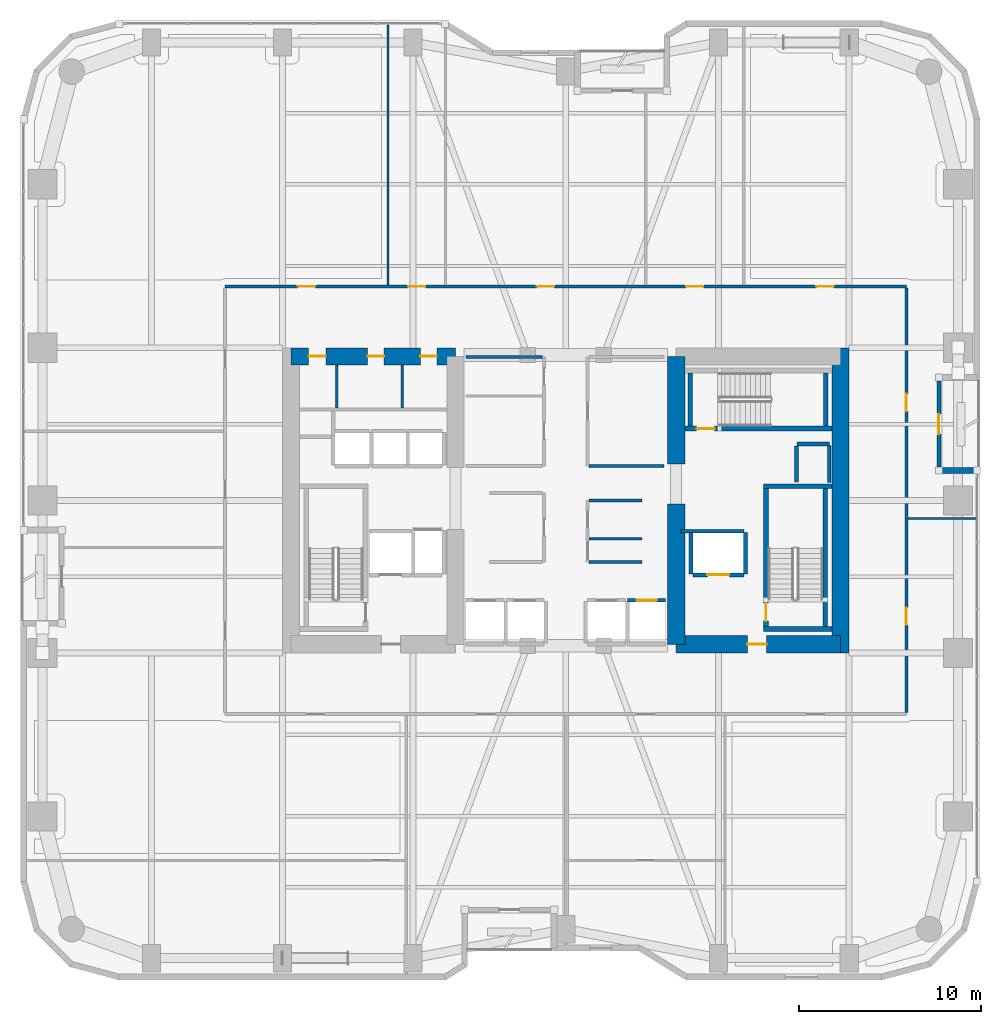
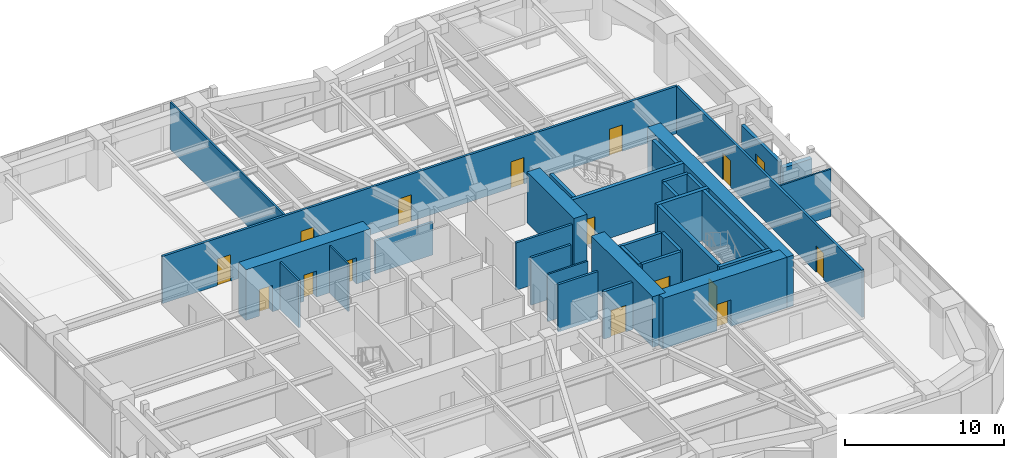
# One storey, part 20 of 24: 33 walls, 16 doors, 16 openings.
"""IFC4 building model written with IfcOpenShell, lengths in metres."""

from ifc_helpers import new_model, si_unit, direction, frame, frame_2d, origin, place, context, subcontext, project, spatial, rectangle, extrude, material, layer, layer_set, type_object, element, fill, save


model = new_model("IFC4")

# Units and contexts
model_context = context("Model", 3, precision=1e-05, world=origin(), true_north=direction((0.0, 1.0)))
body_context = subcontext(model_context, "Body", "Model", "MODEL_VIEW")
ifc_project = project(units=[si_unit("LENGTHUNIT", "METRE"), si_unit("AREAUNIT", "SQUARE_METRE"), si_unit("VOLUMEUNIT", "CUBIC_METRE"), si_unit("PLANEANGLEUNIT", "RADIAN"), si_unit("MASSUNIT", "GRAM", prefix="KILO")], contexts=[model_context])

# Site, building, storey
site_placement = place(None, origin())
site = spatial("IfcSite", under=ifc_project, at=site_placement, CompositionType="ELEMENT")
building_placement = place(site_placement, origin())
building = spatial("IfcBuilding", under=site, at=building_placement, Name="Kiyonajd Concourse Tower", CompositionType="ELEMENT")
storey_placement = place(building_placement, frame((0.0, 0.0, 89.699951171875)))
storey = spatial("IfcBuildingStorey", under=building, at=storey_placement, Name="L23", CompositionType="ELEMENT", Elevation=89.699951171875)

# Wall, openings, doors
ifc_material_1 = material(Name="Concrete C80/95", Category="concrete")
ifc_layer_1 = layer(ifc_material_1, 0.949951171875)
ifc_layer_set_1 = layer_set([ifc_layer_1], Name="Concrete C80/95")
wall_type_1 = type_object("IfcWallType", Name="WL-CORE-950", PredefinedType="SHEAR", material=ifc_layer_set_1)
wall_1_placement = place(storey_placement, frame((32.875, 43.925048828125, 0.0), z_axis=(0.0, 0.0, 1.0), x_axis=(1.0, 0.0, 0.0)))
wall_1 = element("IfcWall", 1, at=wall_1_placement, inside=storey, type_object=wall_type_1, Name="L23 West Core North Shear Wall", PredefinedType="SHEAR", context=body_context, shape_type="SweptSolid", body=[
    extrude(rectangle(XDim=9.050048828125, YDim=0.949951171875, at=frame_2d((4.52490234375, 0.0))), origin(), (0.0, 0.0, 1.0), 3.900146484375),
])
opening_1_placement = place(wall_1_placement, frame((0.97509765625, 0.0, 0.0)))
opening_1 = element("IfcOpeningElement", 2, at=opening_1_placement, cuts=wall_1, Name="Opening DI1", PredefinedType="OPENING", context=body_context, shape_type="SweptSolid", body=[
    extrude(rectangle(XDim=0.949951171875, YDim=2.0400390625, at=frame_2d((0.47509765625, 1.02001953125))), frame((0.0, 0.48486328125, 0.0), z_axis=(0.0, -1.0, 0.0), x_axis=(1.0, 0.0, 0.0)), (0.0, 0.0, 1.0), 0.969970703125),
])
opening_2_placement = place(wall_1_placement, frame((4.22509765625, 0.0, 0.0)))
opening_2 = element("IfcOpeningElement", 3, at=opening_2_placement, cuts=wall_1, Name="Opening DI2", PredefinedType="OPENING", context=body_context, shape_type="SweptSolid", body=[
    extrude(rectangle(XDim=0.89990234375, YDim=2.02001953125, at=frame_2d((0.449951171875, 1.010009765625))), frame((0.0, 0.48486328125, 0.0), z_axis=(0.0, -1.0, 0.0), x_axis=(1.0, 0.0, 0.0)), (0.0, 0.0, 1.0), 0.969970703125),
])
opening_3_placement = place(wall_1_placement, frame((7.125, 0.0, 0.0)))
opening_3 = element("IfcOpeningElement", 4, at=opening_3_placement, cuts=wall_1, Name="Opening DI2", PredefinedType="OPENING", context=body_context, shape_type="SweptSolid", body=[
    extrude(rectangle(XDim=0.89990234375, YDim=2.02001953125, at=frame_2d((0.449951171875, 1.010009765625))), frame((0.0, 0.48486328125, 0.0), z_axis=(0.0, -1.0, 0.0), x_axis=(1.0, 0.0, 0.0)), (0.0, 0.0, 1.0), 0.969970703125),
])
ifc_material_2 = material(Name="Natural Oak Acoustic Timber Veneer", Category="wood")
door_type_1 = type_object("IfcDoorType", Name="DR-INT-900", OperationType="NOTDEFINED", PredefinedType="DOOR", material=ifc_material_2)
door_1_placement = place(opening_2_placement, origin())
door_1 = element("IfcDoor", 5, at=door_1_placement, inside=storey, type_object=door_type_1, Name="L23 Male Restroom Door", OperationType="SINGLE_SWING_RIGHT", OverallHeight=2.02001953125, OverallWidth=0.89990234375, PredefinedType="DOOR", context=body_context, shape_type="SweptSolid", body=[
    extrude(rectangle(XDim=0.89990234375, YDim=2.02001953125, at=frame_2d((0.449951171875, 1.010009765625))), frame((0.0, 0.02490234375, 0.0), z_axis=(0.0, -1.0, 0.0), x_axis=(1.0, 0.0, 0.0)), (0.0, 0.0, 1.0), 0.050048828125),
])
fill(opening_2, door_1)
door_2_placement = place(opening_3_placement, origin())
door_2 = element("IfcDoor", 6, at=door_2_placement, inside=storey, type_object=door_type_1, Name="L23 Female Restroom Door", OperationType="SINGLE_SWING_LEFT", OverallHeight=2.02001953125, OverallWidth=0.89990234375, PredefinedType="DOOR", context=body_context, shape_type="SweptSolid", body=[
    extrude(rectangle(XDim=0.89990234375, YDim=2.02001953125, at=frame_2d((0.449951171875, 1.010009765625))), frame((0.0, 0.02490234375, 0.0), z_axis=(0.0, -1.0, 0.0), x_axis=(1.0, 0.0, 0.0)), (0.0, 0.0, 1.0), 0.050048828125),
])
fill(opening_3, door_2)
door_type_2 = type_object("IfcDoorType", Name="DR-INT-950", OperationType="NOTDEFINED", PredefinedType="DOOR", material=ifc_material_2)
door_3_placement = place(opening_1_placement, origin())
door_3 = element("IfcDoor", 7, at=door_3_placement, inside=storey, type_object=door_type_2, Name="L23 Single User Accessible WC Door", OperationType="SINGLE_SWING_LEFT", OverallHeight=2.0400390625, OverallWidth=0.949951171875, PredefinedType="DOOR", context=body_context, shape_type="SweptSolid", body=[
    extrude(rectangle(XDim=0.949951171875, YDim=2.0400390625, at=frame_2d((0.47509765625, 1.02001953125))), frame((0.0, 0.02490234375, 0.0), z_axis=(0.0, -1.0, 0.0), x_axis=(1.0, 0.0, 0.0)), (0.0, 0.0, 1.0), 0.050048828125),
])
fill(opening_1, door_3)

# Walls
wall_2_placement = place(storey_placement, frame((54.074951171875, 28.074951171875, 0.0), z_axis=(0.0, 0.0, 1.0), x_axis=(0.0, 1.0, 0.0)))
element("IfcWall", 8, at=wall_2_placement, inside=storey, type_object=wall_type_1, Name="L23 East Core Inner South Shear Wall", PredefinedType="SHEAR", context=body_context, shape_type="SweptSolid", body=[
    extrude(rectangle(XDim=7.72509765625, YDim=0.949951171875, at=frame_2d((3.862548828125, 0.0))), origin(), (0.0, 0.0, 1.0), 3.900146484375),
])
wall_3_placement = place(storey_placement, frame((54.074951171875, 38.0, 0.0), z_axis=(0.0, 0.0, 1.0), x_axis=(0.0, 1.0, 0.0)))
element("IfcWall", 9, at=wall_3_placement, inside=storey, type_object=wall_type_1, Name="L23 East Core Inner North Shear Wall", PredefinedType="SHEAR", context=body_context, shape_type="SweptSolid", body=[
    extrude(rectangle(XDim=5.925048828125, YDim=0.949951171875, at=frame_2d((2.96240234375, 0.0))), origin(), (0.0, 0.0, 1.0), 3.900146484375),
])
wall_4_placement = place(storey_placement, frame((63.125, 27.60009765625, 0.0), z_axis=(0.0, 0.0, 1.0), x_axis=(0.0, 1.0, 0.0)))
element("IfcWall", 10, at=wall_4_placement, inside=storey, type_object=wall_type_1, Name="L23 East Core Outer Shear Wall", PredefinedType="SHEAR", context=body_context, shape_type="SweptSolid", body=[
    extrude(rectangle(XDim=16.7998046875, YDim=0.949951171875, at=frame_2d((8.39990234375, 0.0))), origin(), (0.0, 0.0, 1.0), 3.900146484375),
])

# Wall, opening, door
wall_5_placement = place(storey_placement, frame((54.074951171875, 28.074951171875, 0.0), z_axis=(0.0, 0.0, 1.0), x_axis=(1.0, 0.0, 0.0)))
wall_5 = element("IfcWall", 11, at=wall_5_placement, inside=storey, type_object=wall_type_1, Name="L23 East Core South Shear Wall", PredefinedType="SHEAR", context=body_context, shape_type="SweptSolid", body=[
    extrude(rectangle(XDim=9.050048828125, YDim=0.949951171875, at=frame_2d((4.52490234375, 0.0))), origin(), (0.0, 0.0, 1.0), 3.900146484375),
])
opening_4_placement = place(wall_5_placement, frame((3.925048828125, 0.0, 0.0)))
opening_4 = element("IfcOpeningElement", 12, at=opening_4_placement, cuts=wall_5, Name="Opening DF5", PredefinedType="OPENING", context=body_context, shape_type="SweptSolid", body=[
    extrude(rectangle(XDim=1.050048828125, YDim=2.0400390625, at=frame_2d((0.52490234375, 1.02001953125))), frame((0.0, 0.48486328125, 0.0), z_axis=(0.0, -1.0, 0.0), x_axis=(1.0, 0.0, 0.0)), (0.0, 0.0, 1.0), 0.969970703125),
])
ifc_material_3 = material(Name="Brushed Stainless Steel Cab Assembly", Category="steel")
door_type_3 = type_object("IfcDoorType", Name="DR-FD45-1050", OperationType="NOTDEFINED", PredefinedType="DOOR", material=ifc_material_3)
door_4_placement = place(opening_4_placement, origin())
door_4 = element("IfcDoor", 13, at=door_4_placement, inside=storey, type_object=door_type_3, Name="L23 Firefighting Lift Lobby E Smoke Door", OperationType="SINGLE_SWING_RIGHT", OverallHeight=2.0400390625, OverallWidth=1.050048828125, PredefinedType="DOOR", context=body_context, shape_type="SweptSolid", body=[
    extrude(rectangle(XDim=1.050048828125, YDim=2.0400390625, at=frame_2d((0.52490234375, 1.02001953125))), frame((0.0, 0.02490234375, 0.0), z_axis=(0.0, -1.0, 0.0), x_axis=(1.0, 0.0, 0.0)), (0.0, 0.0, 1.0), 0.050048828125),
])
fill(opening_4, door_4)

# Wall
ifc_material_4 = material(Name="Precast concrete C50/60", Category="concrete")
ifc_layer_2 = layer(ifc_material_4, 0.320068359375)
ifc_layer_set_2 = layer_set([ifc_layer_2], Name="Precast concrete C50/60")
wall_type_2 = type_object("IfcWallType", Name="WL-EXT-320", PredefinedType="SOLIDWALL", material=ifc_layer_set_2)
wall_6_placement = place(storey_placement, frame((68.5400390625, 37.639892578125, 0.0), z_axis=(0.0, 0.0, 1.0), x_axis=(1.0, 0.0, 0.0)))
element("IfcWall", 14, at=wall_6_placement, inside=storey, type_object=wall_type_2, Name="L23 Exterior Concrete Frame Wall 23", PredefinedType="SOLIDWALL", context=body_context, shape_type="SweptSolid", body=[
    extrude(rectangle(XDim=2.099853515625, YDim=0.320068359375, at=frame_2d((1.0498046875, 0.0))), origin(), (0.0, 0.0, 1.0), 2.875),
])

# Wall, opening, door
ifc_layer_3 = layer(ifc_material_4, 0.239990234375)
ifc_layer_set_3 = layer_set([ifc_layer_3], Name="Precast concrete C50/60")
wall_type_3 = type_object("IfcWallType", Name="WL-LOG-240", PredefinedType="SOLIDWALL", material=ifc_layer_set_3)
wall_7_placement = place(storey_placement, frame((68.5400390625, 42.56494140625, 0.0), z_axis=(0.0, 0.0, 1.0), x_axis=(0.0, -1.0, 0.0)))
wall_7 = element("IfcWall", 15, at=wall_7_placement, inside=storey, type_object=wall_type_3, Name="L23 Recessed Loggia Thermal Wall LOG-E", PredefinedType="SOLIDWALL", context=body_context, shape_type="SweptSolid", body=[
    extrude(rectangle(XDim=4.72998046875, YDim=0.239990234375, at=frame_2d((2.364990234375, 0.0))), origin(), (0.0, 0.0, 1.0), 3.162109375),
])
opening_5_placement = place(wall_7_placement, frame((1.81494140625, 0.0, 0.0)))
opening_5 = element("IfcOpeningElement", 16, at=opening_5_placement, cuts=wall_7, Name="Opening DL2", PredefinedType="OPENING", context=body_context, shape_type="SweptSolid", body=[
    extrude(rectangle(XDim=1.10009765625, YDim=2.0400390625, at=frame_2d((0.550048828125, 1.02001953125))), frame((0.0, 0.1298828125, 0.0), z_axis=(0.0, -1.0, 0.0), x_axis=(1.0, 0.0, 0.0)), (0.0, 0.0, 1.0), 0.260009765625),
])
ifc_material_5 = material(Name="Thermally Broken Anodised Aluminium", Category="aluminium")
door_type_4 = type_object("IfcDoorType", Name="DR-LOG-1100", OperationType="NOTDEFINED", PredefinedType="DOOR", material=ifc_material_5)
door_5_placement = place(opening_5_placement, origin())
door_5 = element("IfcDoor", 17, at=door_5_placement, inside=storey, type_object=door_type_4, Name="L23 Engawa Loggia Access Door LOG-E", OperationType="SINGLE_SWING_LEFT", OverallHeight=2.0400390625, OverallWidth=1.10009765625, PredefinedType="DOOR", context=body_context, shape_type="SweptSolid", body=[
    extrude(rectangle(XDim=1.10009765625, YDim=2.0400390625, at=frame_2d((0.550048828125, 1.02001953125))), frame((0.0, 0.02490234375, 0.0), z_axis=(0.0, -1.0, 0.0), x_axis=(1.0, 0.0, 0.0)), (0.0, 0.0, 1.0), 0.050048828125),
])
fill(opening_5, door_5)

# Walls
ifc_material_6 = material(Name="Gypsum Board on Cold-Formed Steel Stud", Category="steel")
ifc_layer_4 = layer(ifc_material_6, 0.125)
ifc_layer_set_4 = layer_set([ifc_layer_4], Name="Gypsum Board on Cold-Formed Steel Stud")
wall_type_4 = type_object("IfcWallType", Name="WL-PART-125", PredefinedType="PARTITIONING", material=ifc_layer_set_4)
for number, where, z_axis, x_axis, name in (
    (18, (35.39990234375, 41.094970703125, 0.0), (0.0, 0.0, 1.0), (0.0, 1.0, 0.0), "L23 Interior Partition Wall"),
    (19, (39.0, 41.094970703125, 0.0), (0.0, 0.0, 1.0), (0.0, 1.0, 0.0), "L23 Interior Partition Wall"),
):
    element("IfcWall", number, at=place(storey_placement, frame(where, z_axis=z_axis, x_axis=x_axis)), inside=storey, type_object=wall_type_4, Name=name, PredefinedType="PARTITIONING", context=body_context, shape_type="SweptSolid", body=[
        extrude(rectangle(XDim=2.35498046875, YDim=0.125, at=frame_2d((1.177490234375, 0.0))), origin(), (0.0, 0.0, 1.0), 3.64013671875),
    ])
wall_8_placement = place(storey_placement, frame((49.287109375, 33.89208984375, 0.0), z_axis=(0.0, 0.0, 1.0), x_axis=(1.0, 0.0, 0.0)))
element("IfcWall", 20, at=wall_8_placement, inside=storey, type_object=wall_type_4, Name="L23 Interior Partition Wall", PredefinedType="PARTITIONING", context=body_context, shape_type="SweptSolid", body=[
    extrude(rectangle(XDim=2.912841796875, YDim=0.125, at=frame_2d((1.45654296875, 0.0))), origin(), (0.0, 0.0, 1.0), 3.64013671875),
])
wall_9_placement = place(storey_placement, frame((38.2099609375, 47.85693359375, 0.0), z_axis=(0.0, 0.0, 1.0), x_axis=(0.0, 1.0, 0.0)))
element("IfcWall", 21, at=wall_9_placement, inside=storey, type_object=wall_type_4, Name="L23 Interior Partition Wall", PredefinedType="PARTITIONING", context=body_context, shape_type="SweptSolid", body=[
    extrude(rectangle(XDim=14.298095703125, YDim=0.125, at=frame_2d((7.14892578125, 0.0))), origin(), (0.0, 0.0, 1.0), 3.64013671875),
])
wall_10_placement = place(storey_placement, frame((66.8369140625, 35.0, 0.0), z_axis=(0.0, 0.0, 1.0), x_axis=(1.0, 0.0, 0.0)))
element("IfcWall", 22, at=wall_10_placement, inside=storey, type_object=wall_type_4, Name="L23 Interior Partition Wall", PredefinedType="PARTITIONING", context=body_context, shape_type="SweptSolid", body=[
    extrude(rectangle(XDim=3.718017578125, YDim=0.125, at=frame_2d((1.85888671875, 0.0))), origin(), (0.0, 0.0, 1.0), 3.64013671875),
])
ifc_layer_5 = layer(ifc_material_6, 0.2099609375)
ifc_layer_set_5 = layer_set([ifc_layer_5], Name="Gypsum Board on Cold-Formed Steel Stud")
wall_type_5 = type_object("IfcWallType", Name="WL-SHAFT-210", PredefinedType="PARTITIONING", material=ifc_layer_set_5)
wall_11_placement = place(storey_placement, frame((60.719970703125, 39.10009765625, 0.0), z_axis=(0.0, 0.0, 1.0), x_axis=(1.0, 0.0, 0.0)))
element("IfcWall", 23, at=wall_11_placement, inside=storey, type_object=wall_type_5, Name="L23 Shaft Enclosure Wall", PredefinedType="PARTITIONING", context=body_context, shape_type="SweptSolid", body=[
    extrude(rectangle(XDim=1.800048828125, YDim=0.2099609375, at=frame_2d((0.89990234375, 0.0))), origin(), (0.0, 0.0, 1.0), 3.64013671875),
])
wall_12_placement = place(storey_placement, frame((60.699951171875, 37.02001953125, 0.0), z_axis=(0.0, 0.0, 1.0), x_axis=(0.0, 1.0, 0.0)))
element("IfcWall", 24, at=wall_12_placement, inside=storey, type_object=wall_type_5, Name="L23 Shaft Enclosure Wall", PredefinedType="PARTITIONING", context=body_context, shape_type="SweptSolid", body=[
    extrude(rectangle(XDim=1.9599609375, YDim=0.2099609375, at=frame_2d((0.97998046875, 0.0))), origin(), (0.0, 0.0, 1.0), 3.64013671875),
])
wall_13_placement = place(storey_placement, frame((62.5, 36.97998046875, 0.0), z_axis=(0.0, 0.0, 1.0), x_axis=(0.0, 1.0, 0.0)))
element("IfcWall", 25, at=wall_13_placement, inside=storey, type_object=wall_type_5, Name="L23 Shaft Enclosure Wall", PredefinedType="PARTITIONING", context=body_context, shape_type="SweptSolid", body=[
    extrude(rectangle(XDim=2.0400390625, YDim=0.2099609375, at=frame_2d((1.02001953125, 0.0))), origin(), (0.0, 0.0, 1.0), 3.64013671875),
])

# Wall, opening, door
wall_14_placement = place(storey_placement, frame((55.0, 31.89990234375, 0.0), z_axis=(0.0, 0.0, 1.0), x_axis=(1.0, 0.0, 0.0)))
wall_14 = element("IfcWall", 26, at=wall_14_placement, inside=storey, type_object=wall_type_5, Name="L23 Shaft Enclosure Wall", PredefinedType="PARTITIONING", context=body_context, shape_type="SweptSolid", body=[
    extrude(rectangle(XDim=2.800048828125, YDim=0.2099609375, at=frame_2d((1.39990234375, 0.0))), origin(), (0.0, 0.0, 1.0), 3.64013671875),
])
opening_6_placement = place(wall_14_placement, frame((0.800048828125, 0.0, 0.0)))
opening_6 = element("IfcOpeningElement", 27, at=opening_6_placement, cuts=wall_14, Name="Opening LD2", PredefinedType="OPENING", context=body_context, shape_type="SweptSolid", body=[
    extrude(rectangle(XDim=1.199951171875, YDim=2.0400390625, at=frame_2d((0.60009765625, 1.02001953125))), frame((0.0, 0.114990234375, 0.0), z_axis=(0.0, -1.0, 0.0), x_axis=(1.0, 0.0, 0.0)), (0.0, 0.0, 1.0), 0.22998046875),
])
door_type_5 = type_object("IfcDoorType", Name="DR-LD-1200", OperationType="DOUBLE_DOOR_SLIDING", PredefinedType="DOOR", material=ifc_material_3)
door_6_placement = place(opening_6_placement, origin())
door_6 = element("IfcDoor", 28, at=door_6_placement, inside=storey, type_object=door_type_5, Name="L23 Lift FFL2 Sliding Landing Door", OperationType="DOUBLE_DOOR_SLIDING", OverallHeight=2.0400390625, OverallWidth=1.199951171875, PredefinedType="DOOR", context=body_context, shape_type="SweptSolid", body=[
    extrude(rectangle(XDim=1.199951171875, YDim=2.0400390625, at=frame_2d((0.60009765625, 1.02001953125))), frame((0.0, 0.02490234375, 0.0), z_axis=(0.0, -1.0, 0.0), x_axis=(1.0, 0.0, 0.0)), (0.0, 0.0, 1.0), 0.050048828125),
])
fill(opening_6, door_6)

# Walls
wall_15_placement = place(storey_placement, frame((54.320068359375, 34.300048828125, 0.0), z_axis=(0.0, 0.0, 1.0), x_axis=(1.0, 0.0, 0.0)))
element("IfcWall", 29, at=wall_15_placement, inside=storey, type_object=wall_type_5, Name="L23 Shaft Enclosure Wall", PredefinedType="PARTITIONING", context=body_context, shape_type="SweptSolid", body=[
    extrude(rectangle(XDim=3.47998046875, YDim=0.2099609375, at=frame_2d((1.739990234375, 0.0))), origin(), (0.0, 0.0, 1.0), 3.64013671875),
])
for number, where, z_axis, x_axis, name in (
    (30, (54.89990234375, 31.9599609375, 0.0), (0.0, 0.0, 1.0), (0.0, 1.0, 0.0), "L23 Shaft Enclosure Wall"),
    (31, (57.89990234375, 31.9599609375, 0.0), (0.0, 0.0, 1.0), (0.0, 1.0, 0.0), "L23 Shaft Enclosure Wall"),
):
    element("IfcWall", number, at=place(storey_placement, frame(where, z_axis=z_axis, x_axis=x_axis)), inside=storey, type_object=wall_type_5, Name=name, PredefinedType="PARTITIONING", context=body_context, shape_type="SweptSolid", body=[
        extrude(rectangle(XDim=2.280029296875, YDim=0.2099609375, at=frame_2d((1.14013671875, 0.0))), origin(), (0.0, 0.0, 1.0), 3.64013671875),
    ])

# Wall, opening, door
wall_16_placement = place(storey_placement, frame((51.39990234375, 30.5, 0.0), z_axis=(0.0, 0.0, 1.0), x_axis=(1.0, 0.0, 0.0)))
wall_16 = element("IfcWall", 32, at=wall_16_placement, inside=storey, type_object=wall_type_5, Name="L23 Shaft Enclosure Wall", PredefinedType="PARTITIONING", context=body_context, shape_type="SweptSolid", body=[
    extrude(rectangle(XDim=2.10009765625, YDim=0.2099609375, at=frame_2d((1.050048828125, 0.0))), origin(), (0.0, 0.0, 1.0), 3.64013671875),
])
opening_7_placement = place(wall_16_placement, frame((0.5, 0.0, 0.0)))
opening_7 = element("IfcOpeningElement", 33, at=opening_7_placement, cuts=wall_16, Name="Opening LD1", PredefinedType="OPENING", context=body_context, shape_type="SweptSolid", body=[
    extrude(rectangle(XDim=1.10009765625, YDim=2.0400390625, at=frame_2d((0.550048828125, 1.02001953125))), frame((0.0, 0.114990234375, 0.0), z_axis=(0.0, -1.0, 0.0), x_axis=(1.0, 0.0, 0.0)), (0.0, 0.0, 1.0), 0.22998046875),
])
door_type_6 = type_object("IfcDoorType", Name="DR-LD-1100", OperationType="DOUBLE_DOOR_SLIDING", PredefinedType="DOOR", material=ifc_material_3)
door_7_placement = place(opening_7_placement, origin())
door_7 = element("IfcDoor", 34, at=door_7_placement, inside=storey, type_object=door_type_6, Name="L23 Lift PL-L4 Sliding Landing Door", OperationType="DOUBLE_DOOR_SLIDING", OverallHeight=2.0400390625, OverallWidth=1.10009765625, PredefinedType="DOOR", context=body_context, shape_type="SweptSolid", body=[
    extrude(rectangle(XDim=1.10009765625, YDim=2.0400390625, at=frame_2d((0.550048828125, 1.02001953125))), frame((0.0, 0.02490234375, 0.0), z_axis=(0.0, -1.0, 0.0), x_axis=(1.0, 0.0, 0.0)), (0.0, 0.0, 1.0), 0.050048828125),
])
fill(opening_7, door_7)

# Walls
ifc_layer_6 = layer(ifc_material_6, 0.169921875)
ifc_layer_set_6 = layer_set([ifc_layer_6], Name="Gypsum Board on Cold-Formed Steel Stud")
wall_type_6 = type_object("IfcWallType", Name="WL-SMK-170", PredefinedType="PARTITIONING", material=ifc_layer_set_6)
for number, where, z_axis, x_axis, name in (
    (35, (49.287109375, 32.60009765625, 0.0), (0.0, 0.0, 1.0), (1.0, 0.0, 0.0), "L23 Interior Partition Wall"),
    (36, (49.287109375, 36.0, 0.0), (0.0, 0.0, 1.0), (1.0, 0.0, 0.0), "L23 Interior Partition Wall"),
):
    element("IfcWall", number, at=place(storey_placement, frame(where, z_axis=z_axis, x_axis=x_axis)), inside=storey, type_object=wall_type_6, Name=name, PredefinedType="PARTITIONING", context=body_context, shape_type="SweptSolid", body=[
        extrude(rectangle(XDim=2.912841796875, YDim=0.169921875, at=frame_2d((1.45654296875, 0.0))), origin(), (0.0, 0.0, 1.0), 3.64013671875),
    ])
wall_17_placement = place(storey_placement, frame((42.5, 43.89990234375, 0.0), z_axis=(0.0, 0.0, 1.0), x_axis=(1.0, 0.0, 0.0)))
element("IfcWall", 37, at=wall_17_placement, inside=storey, type_object=wall_type_6, Name="L23 Interior Partition Wall", PredefinedType="PARTITIONING", context=body_context, shape_type="SweptSolid", body=[
    extrude(rectangle(XDim=4.212890625, YDim=0.169921875, at=frame_2d((2.1064453125, 0.0))), origin(), (0.0, 0.0, 1.0), 2.525146484375),
])
wall_18_placement = place(storey_placement, frame((49.287109375, 37.89990234375, 0.0), z_axis=(0.0, 0.0, 1.0), x_axis=(1.0, 0.0, 0.0)))
element("IfcWall", 38, at=wall_18_placement, inside=storey, type_object=wall_type_6, Name="L23 Interior Partition Wall", PredefinedType="PARTITIONING", context=body_context, shape_type="SweptSolid", body=[
    extrude(rectangle(XDim=4.11279296875, YDim=0.169921875, at=frame_2d((2.056396484375, 0.0))), origin(), (0.0, 0.0, 1.0), 3.64013671875),
])

# Wall, openings, doors
wall_19_placement = place(storey_placement, frame((29.25, 47.77001953125, 0.0), z_axis=(0.0, 0.0, 1.0), x_axis=(1.0, 0.0, 0.0)))
wall_19 = element("IfcWall", 39, at=wall_19_placement, inside=storey, type_object=wall_type_6, Name="L23 Interior Partition Wall", PredefinedType="PARTITIONING", context=body_context, shape_type="SweptSolid", body=[
    extrude(rectangle(XDim=37.5, YDim=0.169921875, at=frame_2d((18.75, 0.0))), origin(), (0.0, 0.0, 1.0), 3.64013671875),
])
opening_8_placement = place(wall_19_placement, frame((4.0048828125, 0.0, 0.0)))
opening_8 = element("IfcOpeningElement", 40, at=opening_8_placement, cuts=wall_19, Name="Opening DI1", PredefinedType="OPENING", context=body_context, shape_type="SweptSolid", body=[
    extrude(rectangle(XDim=0.949951171875, YDim=2.0400390625, at=frame_2d((0.47509765625, 1.02001953125))), frame((0.0, 0.094970703125, 0.0), z_axis=(0.0, -1.0, 0.0), x_axis=(1.0, 0.0, 0.0)), (0.0, 0.0, 1.0), 0.18994140625),
])
opening_9_placement = place(wall_19_placement, frame((10.070068359375, 0.0, 0.0)))
opening_9 = element("IfcOpeningElement", 41, at=opening_9_placement, cuts=wall_19, Name="Opening DI1", PredefinedType="OPENING", context=body_context, shape_type="SweptSolid", body=[
    extrude(rectangle(XDim=0.949951171875, YDim=2.0400390625, at=frame_2d((0.47509765625, 1.02001953125))), frame((0.0, 0.094970703125, 0.0), z_axis=(0.0, -1.0, 0.0), x_axis=(1.0, 0.0, 0.0)), (0.0, 0.0, 1.0), 0.18994140625),
])
opening_10_placement = place(wall_19_placement, frame((17.1650390625, 0.0, 0.0)))
opening_10 = element("IfcOpeningElement", 42, at=opening_10_placement, cuts=wall_19, Name="Opening DI1", PredefinedType="OPENING", context=body_context, shape_type="SweptSolid", body=[
    extrude(rectangle(XDim=0.949951171875, YDim=2.0400390625, at=frame_2d((0.47509765625, 1.02001953125))), frame((0.0, 0.094970703125, 0.0), z_axis=(0.0, -1.0, 0.0), x_axis=(1.0, 0.0, 0.0)), (0.0, 0.0, 1.0), 0.18994140625),
])
opening_11_placement = place(wall_19_placement, frame((25.3701171875, 0.0, 0.0)))
opening_11 = element("IfcOpeningElement", 43, at=opening_11_placement, cuts=wall_19, Name="Opening DI1", PredefinedType="OPENING", context=body_context, shape_type="SweptSolid", body=[
    extrude(rectangle(XDim=0.949951171875, YDim=2.0400390625, at=frame_2d((0.47509765625, 1.02001953125))), frame((0.0, 0.094970703125, 0.0), z_axis=(0.0, -1.0, 0.0), x_axis=(1.0, 0.0, 0.0)), (0.0, 0.0, 1.0), 0.18994140625),
])
opening_12_placement = place(wall_19_placement, frame((32.544921875, 0.0, 0.0)))
opening_12 = element("IfcOpeningElement", 44, at=opening_12_placement, cuts=wall_19, Name="Opening DI1", PredefinedType="OPENING", context=body_context, shape_type="SweptSolid", body=[
    extrude(rectangle(XDim=0.949951171875, YDim=2.0400390625, at=frame_2d((0.47509765625, 1.02001953125))), frame((0.0, 0.094970703125, 0.0), z_axis=(0.0, -1.0, 0.0), x_axis=(1.0, 0.0, 0.0)), (0.0, 0.0, 1.0), 0.18994140625),
])
door_8_placement = place(opening_8_placement, origin())
door_8 = element("IfcDoor", 45, at=door_8_placement, inside=storey, type_object=door_type_2, Name="L23 Interior Door", OperationType="SINGLE_SWING_RIGHT", OverallHeight=2.0400390625, OverallWidth=0.949951171875, PredefinedType="DOOR", context=body_context, shape_type="SweptSolid", body=[
    extrude(rectangle(XDim=0.949951171875, YDim=2.0400390625, at=frame_2d((0.47509765625, 1.02001953125))), frame((0.0, 0.02490234375, 0.0), z_axis=(0.0, -1.0, 0.0), x_axis=(1.0, 0.0, 0.0)), (0.0, 0.0, 1.0), 0.050048828125),
])
fill(opening_8, door_8)
door_9_placement = place(opening_9_placement, origin())
door_9 = element("IfcDoor", 46, at=door_9_placement, inside=storey, type_object=door_type_2, Name="L23 Interior Door", OperationType="SINGLE_SWING_LEFT", OverallHeight=2.0400390625, OverallWidth=0.949951171875, PredefinedType="DOOR", context=body_context, shape_type="SweptSolid", body=[
    extrude(rectangle(XDim=0.949951171875, YDim=2.0400390625, at=frame_2d((0.47509765625, 1.02001953125))), frame((0.0, 0.02490234375, 0.0), z_axis=(0.0, -1.0, 0.0), x_axis=(1.0, 0.0, 0.0)), (0.0, 0.0, 1.0), 0.050048828125),
])
fill(opening_9, door_9)
door_10_placement = place(opening_10_placement, origin())
door_10 = element("IfcDoor", 47, at=door_10_placement, inside=storey, type_object=door_type_2, Name="L23 Interior Door", OperationType="SINGLE_SWING_RIGHT", OverallHeight=2.0400390625, OverallWidth=0.949951171875, PredefinedType="DOOR", context=body_context, shape_type="SweptSolid", body=[
    extrude(rectangle(XDim=0.949951171875, YDim=2.0400390625, at=frame_2d((0.47509765625, 1.02001953125))), frame((0.0, 0.02490234375, 0.0), z_axis=(0.0, -1.0, 0.0), x_axis=(1.0, 0.0, 0.0)), (0.0, 0.0, 1.0), 0.050048828125),
])
fill(opening_10, door_10)
door_11_placement = place(opening_11_placement, origin())
door_11 = element("IfcDoor", 48, at=door_11_placement, inside=storey, type_object=door_type_2, Name="L23 Interior Door", OperationType="SINGLE_SWING_LEFT", OverallHeight=2.0400390625, OverallWidth=0.949951171875, PredefinedType="DOOR", context=body_context, shape_type="SweptSolid", body=[
    extrude(rectangle(XDim=0.949951171875, YDim=2.0400390625, at=frame_2d((0.47509765625, 1.02001953125))), frame((0.0, 0.02490234375, 0.0), z_axis=(0.0, -1.0, 0.0), x_axis=(1.0, 0.0, 0.0)), (0.0, 0.0, 1.0), 0.050048828125),
])
fill(opening_11, door_11)
door_12_placement = place(opening_12_placement, origin())
door_12 = element("IfcDoor", 49, at=door_12_placement, inside=storey, type_object=door_type_2, Name="L23 Interior Door", OperationType="SINGLE_SWING_RIGHT", OverallHeight=2.0400390625, OverallWidth=0.949951171875, PredefinedType="DOOR", context=body_context, shape_type="SweptSolid", body=[
    extrude(rectangle(XDim=0.949951171875, YDim=2.0400390625, at=frame_2d((0.47509765625, 1.02001953125))), frame((0.0, 0.02490234375, 0.0), z_axis=(0.0, -1.0, 0.0), x_axis=(1.0, 0.0, 0.0)), (0.0, 0.0, 1.0), 0.050048828125),
])
fill(opening_12, door_12)

wall_20_placement = place(storey_placement, frame((66.75, 24.31689453125, 0.0), z_axis=(0.0, 0.0, 1.0), x_axis=(0.0, 1.0, 0.0)))
wall_20 = element("IfcWall", 50, at=wall_20_placement, inside=storey, type_object=wall_type_6, Name="L23 Interior Partition Wall", PredefinedType="PARTITIONING", context=body_context, shape_type="SweptSolid", body=[
    extrude(rectangle(XDim=23.3662109375, YDim=0.169921875, at=frame_2d((11.68310546875, 0.0))), origin(), (0.0, 0.0, 1.0), 3.64013671875),
])
opening_13_placement = place(wall_20_placement, frame((4.822998046875, 0.0, 0.0)))
opening_13 = element("IfcOpeningElement", 51, at=opening_13_placement, cuts=wall_20, Name="Opening DI1", PredefinedType="OPENING", context=body_context, shape_type="SweptSolid", body=[
    extrude(rectangle(XDim=0.949951171875, YDim=2.0400390625, at=frame_2d((0.47509765625, 1.02001953125))), frame((0.0, 0.094970703125, 0.0), z_axis=(0.0, -1.0, 0.0), x_axis=(1.0, 0.0, 0.0)), (0.0, 0.0, 1.0), 0.18994140625),
])
opening_14_placement = place(wall_20_placement, frame((16.593017578125, 0.0, 0.0)))
opening_14 = element("IfcOpeningElement", 52, at=opening_14_placement, cuts=wall_20, Name="Opening DI1", PredefinedType="OPENING", context=body_context, shape_type="SweptSolid", body=[
    extrude(rectangle(XDim=0.949951171875, YDim=2.0400390625, at=frame_2d((0.47509765625, 1.02001953125))), frame((0.0, 0.094970703125, 0.0), z_axis=(0.0, -1.0, 0.0), x_axis=(1.0, 0.0, 0.0)), (0.0, 0.0, 1.0), 0.18994140625),
])
door_13_placement = place(opening_13_placement, origin())
door_13 = element("IfcDoor", 53, at=door_13_placement, inside=storey, type_object=door_type_2, Name="L23 Interior Door", OperationType="SINGLE_SWING_RIGHT", OverallHeight=2.0400390625, OverallWidth=0.949951171875, PredefinedType="DOOR", context=body_context, shape_type="SweptSolid", body=[
    extrude(rectangle(XDim=0.949951171875, YDim=2.0400390625, at=frame_2d((0.47509765625, 1.02001953125))), frame((0.0, 0.02490234375, 0.0), z_axis=(0.0, -1.0, 0.0), x_axis=(1.0, 0.0, 0.0)), (0.0, 0.0, 1.0), 0.050048828125),
])
fill(opening_13, door_13)
door_14_placement = place(opening_14_placement, origin())
door_14 = element("IfcDoor", 54, at=door_14_placement, inside=storey, type_object=door_type_2, Name="L23 Interior Door", OperationType="SINGLE_SWING_LEFT", OverallHeight=2.0400390625, OverallWidth=0.949951171875, PredefinedType="DOOR", context=body_context, shape_type="SweptSolid", body=[
    extrude(rectangle(XDim=0.949951171875, YDim=2.0400390625, at=frame_2d((0.47509765625, 1.02001953125))), frame((0.0, 0.02490234375, 0.0), z_axis=(0.0, -1.0, 0.0), x_axis=(1.0, 0.0, 0.0)), (0.0, 0.0, 1.0), 0.050048828125),
])
fill(opening_14, door_14)

# Walls
ifc_material_7 = material(Name="Concrete C50/60", Category="concrete")
ifc_layer_7 = layer(ifc_material_7, 0.260009765625)
ifc_layer_set_7 = layer_set([ifc_layer_7], Name="Concrete C50/60")
wall_type_7 = type_object("IfcWallType", Name="WL-STAIR-260", PredefinedType="SHEAR", material=ifc_layer_set_7)
for number, where, z_axis, x_axis, name in (
    (55, (58.889892578125, 28.919921875, 0.0), (0.0, 0.0, 1.0), (1.0, 0.0, 0.0), "L23 Stair ST2 Structural South Wall"),
    (56, (58.889892578125, 36.780029296875, 0.0), (0.0, 0.0, 1.0), (1.0, 0.0, 0.0), "L23 Stair ST2 Structural North Wall"),
):
    element("IfcWall", number, at=place(storey_placement, frame(where, z_axis=z_axis, x_axis=x_axis)), inside=storey, type_object=wall_type_7, Name=name, PredefinedType="SHEAR", context=body_context, shape_type="SweptSolid", body=[
        extrude(rectangle(XDim=3.760009765625, YDim=0.260009765625, at=frame_2d((1.8798828125, 0.0))), origin(), (0.0, 0.0, 1.0), 3.900146484375),
    ])

# Wall, opening, door
wall_21_placement = place(storey_placement, frame((59.02001953125, 29.050048828125, 0.0), z_axis=(0.0, 0.0, 1.0), x_axis=(0.0, 1.0, 0.0)))
wall_21 = element("IfcWall", 57, at=wall_21_placement, inside=storey, type_object=wall_type_7, Name="L23 Stair ST2 Structural West Wall", PredefinedType="SHEAR", context=body_context, shape_type="SweptSolid", body=[
    extrude(rectangle(XDim=7.599853515625, YDim=0.260009765625, at=frame_2d((3.7998046875, 0.0))), origin(), (0.0, 0.0, 1.0), 3.900146484375),
])
opening_15_placement = place(wall_21_placement, frame((0.300048828125, 0.0, 0.0)))
opening_15 = element("IfcOpeningElement", 58, at=opening_15_placement, cuts=wall_21, Name="Opening DF1", PredefinedType="OPENING", context=body_context, shape_type="SweptSolid", body=[
    extrude(rectangle(XDim=1.0, YDim=2.0400390625, at=frame_2d((0.5, 1.02001953125))), frame((0.0, 0.139892578125, 0.0), z_axis=(0.0, -1.0, 0.0), x_axis=(1.0, 0.0, 0.0)), (0.0, 0.0, 1.0), 0.280029296875),
])
door_type_7 = type_object("IfcDoorType", Name="DR-FD90-1000", OperationType="NOTDEFINED", PredefinedType="DOOR", material=ifc_material_3)
door_15_placement = place(opening_15_placement, origin())
door_15 = element("IfcDoor", 59, at=door_15_placement, inside=storey, type_object=door_type_7, Name="L23 Stair ST2 FSAE Door", OperationType="SINGLE_SWING_RIGHT", OverallHeight=2.0400390625, OverallWidth=1.0, PredefinedType="DOOR", context=body_context, shape_type="SweptSolid", body=[
    extrude(rectangle(XDim=1.0, YDim=2.0400390625, at=frame_2d((0.5, 1.02001953125))), frame((0.0, 0.02490234375, 0.0), z_axis=(0.0, -1.0, 0.0), x_axis=(1.0, 0.0, 0.0)), (0.0, 0.0, 1.0), 0.050048828125),
])
fill(opening_15, door_15)

# Wall
wall_22_placement = place(storey_placement, frame((62.280029296875, 29.050048828125, 0.0), z_axis=(0.0, 0.0, 1.0), x_axis=(0.0, 1.0, 0.0)))
element("IfcWall", 60, at=wall_22_placement, inside=storey, type_object=wall_type_7, Name="L23 Stair ST2 Structural East Wall", PredefinedType="SHEAR", context=body_context, shape_type="SweptSolid", body=[
    extrude(rectangle(XDim=7.599853515625, YDim=0.260009765625, at=frame_2d((3.7998046875, 0.0))), origin(), (0.0, 0.0, 1.0), 3.900146484375),
])

# Wall, opening, door
wall_23_placement = place(storey_placement, frame((54.550048828125, 39.949951171875, 0.0), z_axis=(0.0, 0.0, 1.0), x_axis=(1.0, 0.0, 0.0)))
wall_23 = element("IfcWall", 61, at=wall_23_placement, inside=storey, type_object=wall_type_7, Name="L23 Stair ST3 Structural South Wall", PredefinedType="SHEAR", context=body_context, shape_type="SweptSolid", body=[
    extrude(rectangle(XDim=8.099853515625, YDim=0.260009765625, at=frame_2d((4.0498046875, 0.0))), origin(), (0.0, 0.0, 1.0), 3.900146484375),
])
opening_16_placement = place(wall_23_placement, frame((0.64990234375, 0.0, 0.0)))
opening_16 = element("IfcOpeningElement", 62, at=opening_16_placement, cuts=wall_23, Name="Opening DF1", PredefinedType="OPENING", context=body_context, shape_type="SweptSolid", body=[
    extrude(rectangle(XDim=1.0, YDim=2.0400390625, at=frame_2d((0.5, 1.02001953125))), frame((0.0, 0.139892578125, 0.0), z_axis=(0.0, -1.0, 0.0), x_axis=(1.0, 0.0, 0.0)), (0.0, 0.0, 1.0), 0.280029296875),
])
door_16_placement = place(opening_16_placement, origin())
door_16 = element("IfcDoor", 63, at=door_16_placement, inside=storey, type_object=door_type_7, Name="L23 Stair ST3 Enclosure Door", OperationType="SINGLE_SWING_LEFT", OverallHeight=2.0400390625, OverallWidth=1.0, PredefinedType="DOOR", context=body_context, shape_type="SweptSolid", body=[
    extrude(rectangle(XDim=1.0, YDim=2.0400390625, at=frame_2d((0.5, 1.02001953125))), frame((0.0, 0.02490234375, 0.0), z_axis=(0.0, -1.0, 0.0), x_axis=(1.0, 0.0, 0.0)), (0.0, 0.0, 1.0), 0.050048828125),
])
fill(opening_16, door_16)

# Walls
for number, where, z_axis, x_axis, name in (
    (64, (54.85009765625, 40.080078125, 0.0), (0.0, 0.0, 1.0), (0.0, 1.0, 0.0), "L23 Stair ST3 Structural West Wall"),
    (65, (62.31005859375, 40.080078125, 0.0), (0.0, 0.0, 1.0), (0.0, 1.0, 0.0), "L23 Stair ST3 Structural East Wall"),
):
    element("IfcWall", number, at=place(storey_placement, frame(where, z_axis=z_axis, x_axis=x_axis)), inside=storey, type_object=wall_type_7, Name=name, PredefinedType="SHEAR", context=body_context, shape_type="SweptSolid", body=[
        extrude(rectangle(XDim=2.93994140625, YDim=0.260009765625, at=frame_2d((1.469970703125, 0.0))), origin(), (0.0, 0.0, 1.0), 3.900146484375),
    ])

save(model, "model.ifc")
